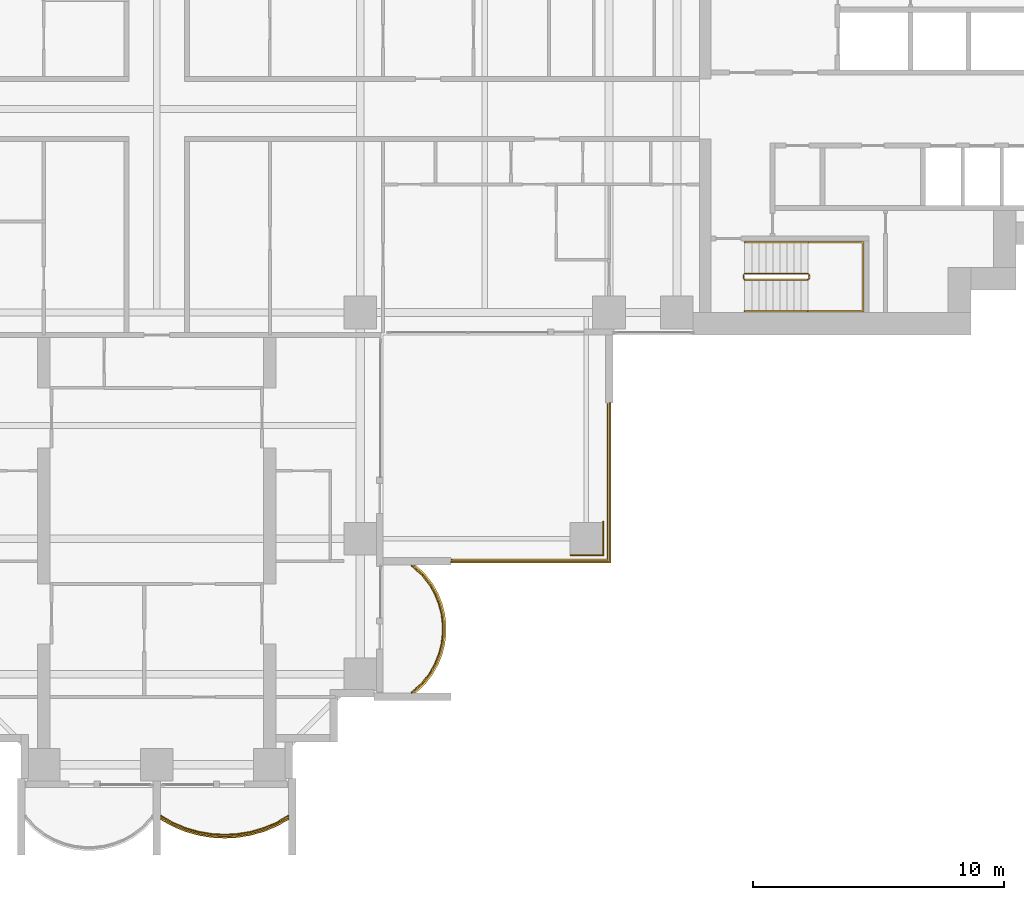
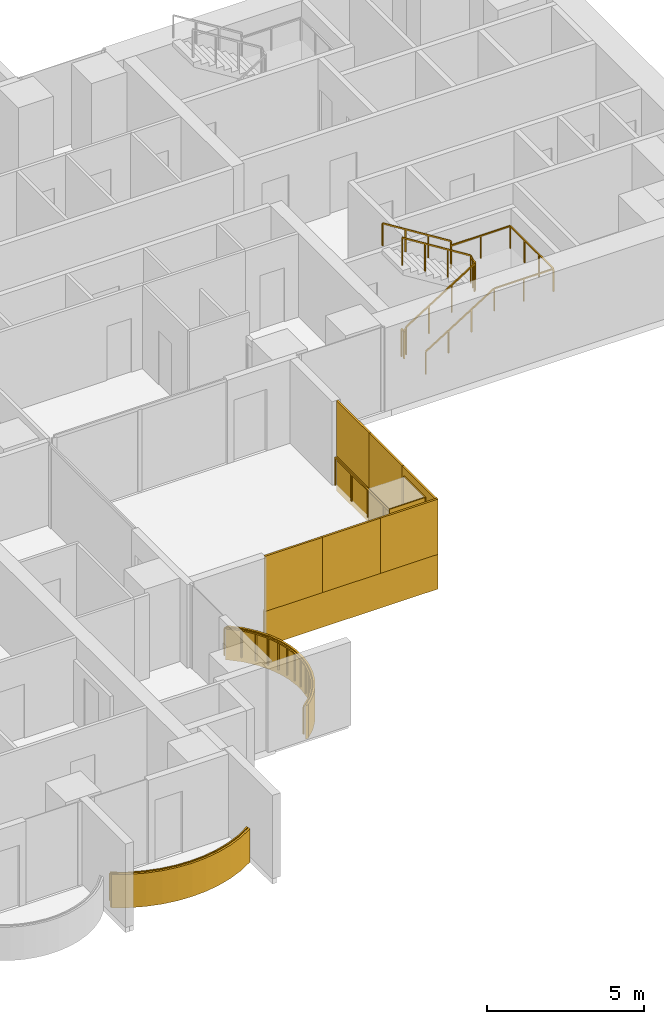
# One storey, part 19 of 21: 11 coverings, 5 railings.
"""IFC4 building model written with IfcOpenShell, lengths in metres."""

from ifc_helpers import new_model, si_unit, direction, frame, origin, origin_2d, place, context, subcontext, project, spatial, polyline, rectangle, outline, extrude, material, layer, layer_set, type_object, element, save


model = new_model("IFC4")

# Units and contexts
model_context = context("Model", 3, precision=1e-05, world=origin(), true_north=direction((0.0, 1.0)))
body_context = subcontext(model_context, "Body", "Model", "MODEL_VIEW")
ifc_project = project(units=[si_unit("LENGTHUNIT", "METRE"), si_unit("AREAUNIT", "SQUARE_METRE"), si_unit("VOLUMEUNIT", "CUBIC_METRE"), si_unit("PLANEANGLEUNIT", "RADIAN"), si_unit("MASSUNIT", "GRAM", prefix="KILO")], contexts=[model_context])

# Site, building, storey
site_placement = place(None, origin())
site = spatial("IfcSite", under=ifc_project, at=site_placement, CompositionType="ELEMENT")
building_placement = place(site_placement, origin())
building = spatial("IfcBuilding", under=site, at=building_placement, Name="Perihelion Cross Residences", CompositionType="ELEMENT")
storey_placement = place(building_placement, frame((0.0, 0.0, 57.5)))
storey = spatial("IfcBuildingStorey", under=building, at=storey_placement, Name="L11", CompositionType="ELEMENT", Elevation=57.5)

# Coverings
ifc_material_1 = material(Name="Bronze anodised aluminium", Category="aluminium")
ifc_layer_1 = layer(ifc_material_1, 0.070068359375)
ifc_layer_set_1 = layer_set([ifc_layer_1], Name="Balcony fascia 1300")
covering_type_1 = type_object("IfcCoveringType", Name="Balcony fascia 1300", PredefinedType="CLADDING", material=ifc_layer_set_1)
covering_1_placement = place(storey_placement, frame((0.0, 0.0, -0.199951171875)))
element("IfcCovering", 1, at=covering_1_placement, inside=storey, type_object=covering_type_1, Name="Fascia BF1 L11 south tip south bay 2", PredefinedType="CLADDING", context=body_context, shape_type="SweptSolid", body=[
    extrude(outline(polyline([(0.629638671875, -28.54833984375), (1.147216796875, -28.7607421875), (1.664794921875, -28.906494140625), (2.182373046875, -28.991943359375), (2.699951171875, -29.02001953125), (3.217529296875, -28.991943359375), (3.735107421875, -28.906494140625), (4.2529296875, -28.7607421875), (4.7705078125, -28.54833984375), (5.25, -28.2802734375), (5.25, -28.199951171875), (4.739990234375, -28.4853515625), (4.22998046875, -28.694580078125), (3.719970703125, -28.838134765625), (3.2099609375, -28.92236328125), (2.699951171875, -28.949951171875), (2.18994140625, -28.92236328125), (1.679931640625, -28.838134765625), (1.169921875, -28.694580078125), (0.659912109375, -28.4853515625), (0.14990234375, -28.199951171875), (0.14990234375, -28.2802734375), (0.629638671875, -28.54833984375)])), origin(), (0.0, 0.0, 1.0), 1.300048828125),
])
covering_2_placement = place(storey_placement, frame((0.0, 0.0, -0.199951171875)))
element("IfcCovering", 2, at=covering_2_placement, inside=storey, type_object=covering_type_1, Name="Fascia BF1 L11 south side east bay 1", PredefinedType="CLADDING", context=body_context, shape_type="SweptSolid", body=[
    extrude(outline(polyline([(10.674072265625, -22.90478515625), (10.982666015625, -22.50390625), (11.20654296875, -22.10302734375), (11.364013671875, -21.7021484375), (11.464599609375, -21.30126953125), (11.513916015625, -20.900390625), (11.513916015625, -20.49951171875), (11.464599609375, -20.0986328125), (11.364013671875, -19.69775390625), (11.20654296875, -19.296875), (10.982666015625, -18.89599609375), (10.674072265625, -18.4951171875), (10.302734375, -18.14990234375), (10.199951171875, -18.14990234375), (10.622314453125, -18.542236328125), (10.924072265625, -18.9345703125), (11.143310546875, -19.326904296875), (11.29736328125, -19.71923828125), (11.39599609375, -20.111572265625), (11.444091796875, -20.50390625), (11.444091796875, -20.896240234375), (11.39599609375, -21.28857421875), (11.29736328125, -21.6806640625), (11.143310546875, -22.072998046875), (10.924072265625, -22.46533203125), (10.622314453125, -22.857666015625), (10.199951171875, -23.25), (10.302734375, -23.25), (10.674072265625, -22.90478515625)])), origin(), (0.0, 0.0, 1.0), 1.300048828125),
])

# Railings
ifc_material_2 = material(Name="Bronze anodised aluminium", Category="aluminium")
railing_type_1 = type_object("IfcRailingType", Name="Balcony guard 1100", PredefinedType="GUARDRAIL", material=ifc_material_2)
railing_1_placement = place(storey_placement, frame((0.175048828125, -28.139892578125, 0.0)))
element("IfcRailing", 3, at=railing_1_placement, inside=storey, type_object=railing_type_1, Name="Guard GU1 L11 south tip south bay 2 balcony", PredefinedType="GUARDRAIL", context=body_context, shape_type="SweptSolid", body=[
    extrude(rectangle(XDim=0.048095703125, YDim=0.048095703125, at=origin_2d()), frame((0.0, 0.0, 1.076171875), z_axis=(0.861789164031, -0.507266632806, 0.0), x_axis=(0.507266632806, 0.861789164031, 0.0)), (0.0, 0.0, 1.0), 0.562744140625),
    extrude(rectangle(XDim=0.048095703125, YDim=0.048095703125, at=origin_2d()), frame((0.48486328125, -0.285400390625, 1.076171875), z_axis=(0.925172605972, -0.379546636342, 0.0), x_axis=(0.379546636342, 0.925172605972, 0.0)), (0.0, 0.0, 1.0), 0.55126953125),
    extrude(rectangle(XDim=0.048095703125, YDim=0.048095703125, at=origin_2d()), frame((0.994873046875, -0.49462890625, 1.076171875), z_axis=(0.962474364231, -0.271372618732, 0.0), x_axis=(0.271372618732, 0.962474364231, 0.0)), (0.0, 0.0, 1.0), 0.52978515625),
    extrude(rectangle(XDim=0.048095703125, YDim=0.048095703125, at=origin_2d()), frame((1.5048828125, -0.638427734375, 1.076171875), z_axis=(0.986711211531, -0.162483799314, 0.0), x_axis=(0.162483799314, 0.986711211531, 0.0)), (0.0, 0.0, 1.0), 0.516845703125),
    extrude(rectangle(XDim=0.048095703125, YDim=0.048095703125, at=origin_2d()), frame((2.014892578125, -0.722412109375, 1.076171875), z_axis=(0.998540183677, -0.05401390175, 0.0), x_axis=(0.05401390175, 0.998540183677, 0.0)), (0.0, 0.0, 1.0), 0.5107421875),
    extrude(rectangle(XDim=0.048095703125, YDim=0.048095703125, at=origin_2d()), frame((2.52490234375, -0.75, 1.076171875), z_axis=(0.998540183677, 0.05401390175, 0.0), x_axis=(-0.05401390175, 0.998540183677, 0.0)), (0.0, 0.0, 1.0), 0.5107421875),
    extrude(rectangle(XDim=0.048095703125, YDim=0.048095703125, at=origin_2d()), frame((3.034912109375, -0.722412109375, 1.076171875), z_axis=(0.986711211531, 0.162483799314, 0.0), x_axis=(-0.162483799314, 0.986711211531, 0.0)), (0.0, 0.0, 1.0), 0.516845703125),
    extrude(rectangle(XDim=0.048095703125, YDim=0.048095703125, at=origin_2d()), frame((3.544921875, -0.638427734375, 1.076171875), z_axis=(0.962474364231, 0.271372618732, 0.0), x_axis=(-0.271372618732, 0.962474364231, 0.0)), (0.0, 0.0, 1.0), 0.52978515625),
    extrude(rectangle(XDim=0.048095703125, YDim=0.048095703125, at=origin_2d()), frame((4.054931640625, -0.49462890625, 1.076171875), z_axis=(0.925172605972, 0.379546636342, 0.0), x_axis=(-0.379546636342, 0.925172605972, 0.0)), (0.0, 0.0, 1.0), 0.55126953125),
    extrude(rectangle(XDim=0.048095703125, YDim=0.048095703125, at=origin_2d()), frame((4.56494140625, -0.285400390625, 1.076171875), z_axis=(0.861900760591, 0.507076995033, 0.0), x_axis=(-0.507076995033, 0.861900760591, 0.0)), (0.0, 0.0, 1.0), 0.562744140625),
    extrude(rectangle(XDim=0.0419921875, YDim=0.0419921875, at=origin_2d()), origin(), (0.0, 0.0, 1.0), 1.052001953125),
    extrude(rectangle(XDim=0.0419921875, YDim=0.0419921875, at=origin_2d()), frame((0.48486328125, -0.285400390625, 0.0)), (0.0, 0.0, 1.0), 1.052001953125),
    extrude(rectangle(XDim=0.0419921875, YDim=0.0419921875, at=origin_2d()), frame((0.994873046875, -0.49462890625, 0.0)), (0.0, 0.0, 1.0), 1.052001953125),
    extrude(rectangle(XDim=0.0419921875, YDim=0.0419921875, at=origin_2d()), frame((1.5048828125, -0.638427734375, 0.0)), (0.0, 0.0, 1.0), 1.052001953125),
    extrude(rectangle(XDim=0.0419921875, YDim=0.0419921875, at=origin_2d()), frame((2.014892578125, -0.722412109375, 0.0)), (0.0, 0.0, 1.0), 1.052001953125),
    extrude(rectangle(XDim=0.0419921875, YDim=0.0419921875, at=origin_2d()), frame((2.52490234375, -0.75, 0.0)), (0.0, 0.0, 1.0), 1.052001953125),
    extrude(rectangle(XDim=0.0419921875, YDim=0.0419921875, at=origin_2d()), frame((3.034912109375, -0.722412109375, 0.0)), (0.0, 0.0, 1.0), 1.052001953125),
    extrude(rectangle(XDim=0.0419921875, YDim=0.0419921875, at=origin_2d()), frame((3.544921875, -0.638427734375, 0.0)), (0.0, 0.0, 1.0), 1.052001953125),
    extrude(rectangle(XDim=0.0419921875, YDim=0.0419921875, at=origin_2d()), frame((4.054931640625, -0.49462890625, 0.0)), (0.0, 0.0, 1.0), 1.052001953125),
    extrude(rectangle(XDim=0.0419921875, YDim=0.0419921875, at=origin_2d()), frame((4.56494140625, -0.285400390625, 0.0)), (0.0, 0.0, 1.0), 1.052001953125),
    extrude(rectangle(XDim=0.0419921875, YDim=0.0419921875, at=origin_2d()), frame((5.050048828125, 0.0, 0.0)), (0.0, 0.0, 1.0), 1.052001953125),
])
railing_2_placement = place(storey_placement, frame((10.139892578125, -23.22509765625, 0.0)))
element("IfcRailing", 4, at=railing_2_placement, inside=storey, type_object=railing_type_1, Name="Guard GU1 L11 south side east bay 1 balcony", PredefinedType="GUARDRAIL", context=body_context, shape_type="SweptSolid", body=[
    extrude(rectangle(XDim=0.048095703125, YDim=0.048095703125, at=origin_2d()), frame((0.0, 0.0, 1.076171875), z_axis=(0.754464673757, 0.656340655493, 0.0), x_axis=(-0.656340655493, 0.754464673757, 0.0)), (0.0, 0.0, 1.0), 0.559814453125),
    extrude(rectangle(XDim=0.048095703125, YDim=0.048095703125, at=origin_2d()), frame((0.42236328125, 0.367431640625, 1.076171875), z_axis=(0.60966308455, 0.792660660899, 0.0), x_axis=(-0.792660660899, 0.60966308455, 0.0)), (0.0, 0.0, 1.0), 0.494873046875),
    extrude(rectangle(XDim=0.048095703125, YDim=0.048095703125, at=origin_2d()), frame((0.72412109375, 0.759765625, 1.076171875), z_axis=(0.487809182674, 0.872950285698, 0.0), x_axis=(-0.872950285698, 0.487809182674, 0.0)), (0.0, 0.0, 1.0), 0.449462890625),
    extrude(rectangle(XDim=0.048095703125, YDim=0.048095703125, at=origin_2d()), frame((0.943359375, 1.152099609375, 1.076171875), z_axis=(0.365491079925, 0.930814842219, 0.0), x_axis=(-0.930814842219, 0.365491079925, 0.0)), (0.0, 0.0, 1.0), 0.42138671875),
    extrude(rectangle(XDim=0.048095703125, YDim=0.048095703125, at=origin_2d()), frame((1.097412109375, 1.54443359375, 1.076171875), z_axis=(0.243956193074, 0.969786252666, 0.0), x_axis=(-0.969786252666, 0.243956193074, 0.0)), (0.0, 0.0, 1.0), 0.404296875),
    extrude(rectangle(XDim=0.048095703125, YDim=0.048095703125, at=origin_2d()), frame((1.196044921875, 1.9365234375, 1.076171875), z_axis=(0.121677797999, 0.992569651699, 0.0), x_axis=(-0.992569651699, 0.121677797999, 0.0)), (0.0, 0.0, 1.0), 0.395263671875),
    extrude(rectangle(XDim=0.048095703125, YDim=0.048095703125, at=origin_2d()), frame((1.244140625, 2.328857421875, 1.076171875), z_axis=(0.0, 1.0, 0.0), x_axis=(-1.0, 0.0, 0.0)), (0.0, 0.0, 1.0), 0.392333984375),
    extrude(rectangle(XDim=0.048095703125, YDim=0.048095703125, at=origin_2d()), frame((1.244140625, 2.72119140625, 1.076171875), z_axis=(-0.121677797999, 0.992569651699, 0.0), x_axis=(-0.992569651699, -0.121677797999, 0.0)), (0.0, 0.0, 1.0), 0.395263671875),
    extrude(rectangle(XDim=0.048095703125, YDim=0.048095703125, at=origin_2d()), frame((1.196044921875, 3.113525390625, 1.076171875), z_axis=(-0.243813411509, 0.969822159145, 0.0), x_axis=(-0.969822159145, -0.243813411509, 0.0)), (0.0, 0.0, 1.0), 0.404541015625),
    extrude(rectangle(XDim=0.048095703125, YDim=0.048095703125, at=origin_2d()), frame((1.097412109375, 3.505859375, 1.076171875), z_axis=(-0.365491079925, 0.930814842219, 0.0), x_axis=(-0.930814842219, -0.365491079925, 0.0)), (0.0, 0.0, 1.0), 0.42138671875),
    extrude(rectangle(XDim=0.048095703125, YDim=0.048095703125, at=origin_2d()), frame((0.943359375, 3.898193359375, 1.076171875), z_axis=(-0.487809182674, 0.872950285698, 0.0), x_axis=(-0.872950285698, -0.487809182674, 0.0)), (0.0, 0.0, 1.0), 0.449462890625),
    extrude(rectangle(XDim=0.048095703125, YDim=0.048095703125, at=origin_2d()), frame((0.72412109375, 4.29052734375, 1.076171875), z_axis=(-0.60966308455, 0.792660660899, 0.0), x_axis=(-0.792660660899, -0.60966308455, 0.0)), (0.0, 0.0, 1.0), 0.494873046875),
    extrude(rectangle(XDim=0.048095703125, YDim=0.048095703125, at=origin_2d()), frame((0.42236328125, 4.682861328125, 1.076171875), z_axis=(-0.754680648599, 0.656092309534, 0.0), x_axis=(-0.656092309534, -0.754680648599, 0.0)), (0.0, 0.0, 1.0), 0.5595703125),
    extrude(rectangle(XDim=0.0419921875, YDim=0.0419921875, at=origin_2d()), origin(), (0.0, 0.0, 1.0), 1.052001953125),
    extrude(rectangle(XDim=0.0419921875, YDim=0.0419921875, at=origin_2d()), frame((0.42236328125, 0.367431640625, 0.0)), (0.0, 0.0, 1.0), 1.052001953125),
    extrude(rectangle(XDim=0.0419921875, YDim=0.0419921875, at=origin_2d()), frame((0.72412109375, 0.759765625, 0.0)), (0.0, 0.0, 1.0), 1.052001953125),
    extrude(rectangle(XDim=0.0419921875, YDim=0.0419921875, at=origin_2d()), frame((0.943359375, 1.152099609375, 0.0)), (0.0, 0.0, 1.0), 1.052001953125),
    extrude(rectangle(XDim=0.0419921875, YDim=0.0419921875, at=origin_2d()), frame((1.097412109375, 1.54443359375, 0.0)), (0.0, 0.0, 1.0), 1.052001953125),
    extrude(rectangle(XDim=0.0419921875, YDim=0.0419921875, at=origin_2d()), frame((1.196044921875, 1.9365234375, 0.0)), (0.0, 0.0, 1.0), 1.052001953125),
    extrude(rectangle(XDim=0.0419921875, YDim=0.0419921875, at=origin_2d()), frame((1.244140625, 2.328857421875, 0.0)), (0.0, 0.0, 1.0), 1.052001953125),
    extrude(rectangle(XDim=0.0419921875, YDim=0.0419921875, at=origin_2d()), frame((1.244140625, 2.72119140625, 0.0)), (0.0, 0.0, 1.0), 1.052001953125),
    extrude(rectangle(XDim=0.0419921875, YDim=0.0419921875, at=origin_2d()), frame((1.196044921875, 3.113525390625, 0.0)), (0.0, 0.0, 1.0), 1.052001953125),
    extrude(rectangle(XDim=0.0419921875, YDim=0.0419921875, at=origin_2d()), frame((1.097412109375, 3.505859375, 0.0)), (0.0, 0.0, 1.0), 1.052001953125),
    extrude(rectangle(XDim=0.0419921875, YDim=0.0419921875, at=origin_2d()), frame((0.943359375, 3.898193359375, 0.0)), (0.0, 0.0, 1.0), 1.052001953125),
    extrude(rectangle(XDim=0.0419921875, YDim=0.0419921875, at=origin_2d()), frame((0.72412109375, 4.29052734375, 0.0)), (0.0, 0.0, 1.0), 1.052001953125),
    extrude(rectangle(XDim=0.0419921875, YDim=0.0419921875, at=origin_2d()), frame((0.42236328125, 4.682861328125, 0.0)), (0.0, 0.0, 1.0), 1.052001953125),
    extrude(rectangle(XDim=0.0419921875, YDim=0.0419921875, at=origin_2d()), frame((0.0, 5.050048828125, 0.0)), (0.0, 0.0, 1.0), 1.052001953125),
])
railing_3_placement = place(storey_placement, frame((17.93994140625, -11.739990234375, 0.0)))
element("IfcRailing", 5, at=railing_3_placement, inside=storey, type_object=railing_type_1, Name="Guard GU1 L11 pocket south-east 1", PredefinedType="GUARDRAIL", context=body_context, shape_type="SweptSolid", body=[
    extrude(rectangle(XDim=0.048095703125, YDim=0.048095703125, at=origin_2d()), frame((0.0, 0.0, 1.076171875), z_axis=(0.0, -1.0, 0.0), x_axis=(1.0, 0.0, 0.0)), (0.0, 0.0, 1.0), 6.199951171875),
    extrude(rectangle(XDim=0.048095703125, YDim=0.048095703125, at=origin_2d()), frame((0.0, -6.199951171875, 1.076171875), z_axis=(-1.0, 0.0, 0.0), x_axis=(0.0, -1.0, 0.0)), (0.0, 0.0, 1.0), 6.199951171875),
    extrude(rectangle(XDim=0.0419921875, YDim=0.0419921875, at=origin_2d()), origin(), (0.0, 0.0, 1.0), 1.052001953125),
    extrude(rectangle(XDim=0.0419921875, YDim=0.0419921875, at=origin_2d()), frame((0.0, -1.033203125, 0.0)), (0.0, 0.0, 1.0), 1.052001953125),
    extrude(rectangle(XDim=0.0419921875, YDim=0.0419921875, at=origin_2d()), frame((0.0, -2.066650390625, 0.0)), (0.0, 0.0, 1.0), 1.052001953125),
    extrude(rectangle(XDim=0.0419921875, YDim=0.0419921875, at=origin_2d()), frame((0.0, -3.10009765625, 0.0)), (0.0, 0.0, 1.0), 1.052001953125),
    extrude(rectangle(XDim=0.0419921875, YDim=0.0419921875, at=origin_2d()), frame((0.0, -4.13330078125, 0.0)), (0.0, 0.0, 1.0), 1.052001953125),
    extrude(rectangle(XDim=0.0419921875, YDim=0.0419921875, at=origin_2d()), frame((0.0, -5.16650390625, 0.0)), (0.0, 0.0, 1.0), 1.052001953125),
    extrude(rectangle(XDim=0.0419921875, YDim=0.0419921875, at=origin_2d()), frame((0.0, -6.199951171875, 0.0)), (0.0, 0.0, 1.0), 1.052001953125),
    extrude(rectangle(XDim=0.0419921875, YDim=0.0419921875, at=origin_2d()), frame((-1.033203125, -6.199951171875, 0.0)), (0.0, 0.0, 1.0), 1.052001953125),
    extrude(rectangle(XDim=0.0419921875, YDim=0.0419921875, at=origin_2d()), frame((-2.066650390625, -6.199951171875, 0.0)), (0.0, 0.0, 1.0), 1.052001953125),
    extrude(rectangle(XDim=0.0419921875, YDim=0.0419921875, at=origin_2d()), frame((-3.10009765625, -6.199951171875, 0.0)), (0.0, 0.0, 1.0), 1.052001953125),
    extrude(rectangle(XDim=0.0419921875, YDim=0.0419921875, at=origin_2d()), frame((-4.13330078125, -6.199951171875, 0.0)), (0.0, 0.0, 1.0), 1.052001953125),
    extrude(rectangle(XDim=0.0419921875, YDim=0.0419921875, at=origin_2d()), frame((-5.16650390625, -6.199951171875, 0.0)), (0.0, 0.0, 1.0), 1.052001953125),
    extrude(rectangle(XDim=0.0419921875, YDim=0.0419921875, at=origin_2d()), frame((-6.199951171875, -6.199951171875, 0.0)), (0.0, 0.0, 1.0), 1.052001953125),
])

# Coverings
ifc_material_3 = material(Name="Bronze anodised aluminium", Category="aluminium")
ifc_layer_2 = layer(ifc_material_3, 0.0400390625)
ifc_layer_set_2 = layer_set([ifc_layer_2], Name="Bronze column casing 40")
covering_type_2 = type_object("IfcCoveringType", Name="Bronze column casing 40", PredefinedType="CLADDING", material=ifc_layer_set_2)
covering_3_placement = place(storey_placement, frame((17.77001953125, -17.10009765625, -0.25), z_axis=(0.0, 0.0, 1.0), x_axis=(1.0, 0.0, 0.0)))
element("IfcCovering", 6, at=covering_3_placement, inside=storey, type_object=covering_type_2, Name="Cladding CC1 L11 casing east-west no. 3", PredefinedType="CLADDING", context=body_context, shape_type="SweptSolid", body=[
    extrude(rectangle(XDim=0.0400390625, YDim=1.3798828125, at=origin_2d()), origin(), (0.0, 0.0, 1.0), 3.5),
])
covering_4_placement = place(storey_placement, frame((17.10009765625, -17.77001953125, -0.25), z_axis=(0.0, 0.0, 1.0), x_axis=(1.0, 0.0, 0.0)))
element("IfcCovering", 7, at=covering_4_placement, inside=storey, type_object=covering_type_2, Name="Cladding CC1 L11 casing north-south no. 3", PredefinedType="CLADDING", context=body_context, shape_type="SweptSolid", body=[
    extrude(rectangle(XDim=1.300048828125, YDim=0.0400390625, at=origin_2d()), origin(), (0.0, 0.0, 1.0), 3.5),
])
ifc_material_4 = material(Name="Bronze anodised aluminium", Category="aluminium")
ifc_layer_3 = layer(ifc_material_4, 0.070068359375)
ifc_layer_set_3 = layer_set([ifc_layer_3], Name="Pocket fascia 1350")
covering_type_3 = type_object("IfcCoveringType", Name="Pocket fascia 1350", PredefinedType="CLADDING", material=ifc_layer_set_3)
covering_5_placement = place(storey_placement, frame((0.0, 0.0, -0.25)))
element("IfcCovering", 8, at=covering_5_placement, inside=storey, type_object=covering_type_3, Name="Fascia BF2 L11 pocket south-east 3", PredefinedType="CLADDING", context=body_context, shape_type="SweptSolid", body=[
    extrude(outline(polyline([(18.070068359375, -18.070068359375), (18.070068359375, -11.699951171875), (18.0, -11.699951171875), (18.0, -18.0), (11.699951171875, -18.0), (11.699951171875, -18.070068359375), (18.070068359375, -18.070068359375)])), origin(), (0.0, 0.0, 1.0), 1.35009765625),
])
ifc_material_5 = material(Name="Bronze perforated aluminium", Category="aluminium")
ifc_layer_4 = layer(ifc_material_5, 0.070068359375)
ifc_layer_set_4 = layer_set([ifc_layer_4], Name="Pocket solar screen, bronze perforated")
covering_type_4 = type_object("IfcCoveringType", Name="Pocket solar screen, bronze perforated", PredefinedType="CLADDING", material=ifc_layer_set_4)
covering_6_placement = place(storey_placement, frame((0.0, 0.0, 1.10009765625)))
element("IfcCovering", 9, at=covering_6_placement, inside=storey, type_object=covering_type_4, Name="Solar screen PS1 L11 pocket south-east no. 1", PredefinedType="CLADDING", context=body_context, shape_type="SweptSolid", body=[
    extrude(outline(polyline([(18.070068359375, -18.0), (18.070068359375, -15.89990234375), (18.0, -15.89990234375), (18.0, -18.0), (18.070068359375, -18.0)])), origin(), (0.0, 0.0, 1.0), 2.14990234375),
])
covering_7_placement = place(storey_placement, frame((0.0, 0.0, 1.10009765625)))
element("IfcCovering", 10, at=covering_7_placement, inside=storey, type_object=covering_type_4, Name="Solar screen PS1 L11 pocket south-east no. 2", PredefinedType="CLADDING", context=body_context, shape_type="SweptSolid", body=[
    extrude(outline(polyline([(18.070068359375, -15.89990234375), (18.070068359375, -13.800048828125), (18.0, -13.800048828125), (18.0, -15.89990234375), (18.070068359375, -15.89990234375)])), origin(), (0.0, 0.0, 1.0), 2.14990234375),
])
covering_8_placement = place(storey_placement, frame((0.0, 0.0, 1.10009765625)))
element("IfcCovering", 11, at=covering_8_placement, inside=storey, type_object=covering_type_4, Name="Solar screen PS1 L11 pocket south-east no. 3", PredefinedType="CLADDING", context=body_context, shape_type="SweptSolid", body=[
    extrude(outline(polyline([(18.070068359375, -13.800048828125), (18.070068359375, -11.699951171875), (18.0, -11.699951171875), (18.0, -13.800048828125), (18.070068359375, -13.800048828125)])), origin(), (0.0, 0.0, 1.0), 2.14990234375),
])
covering_9_placement = place(storey_placement, frame((0.0, 0.0, 1.10009765625)))
element("IfcCovering", 12, at=covering_9_placement, inside=storey, type_object=covering_type_4, Name="Solar screen PS1 L11 pocket south-east no. 4", PredefinedType="CLADDING", context=body_context, shape_type="SweptSolid", body=[
    extrude(outline(polyline([(13.8232421875, -18.070068359375), (13.8232421875, -18.0), (11.699951171875, -18.0), (11.699951171875, -18.070068359375), (13.8232421875, -18.070068359375)])), origin(), (0.0, 0.0, 1.0), 2.14990234375),
])
covering_10_placement = place(storey_placement, frame((0.0, 0.0, 1.10009765625)))
element("IfcCovering", 13, at=covering_10_placement, inside=storey, type_object=covering_type_4, Name="Solar screen PS1 L11 pocket south-east no. 5", PredefinedType="CLADDING", context=body_context, shape_type="SweptSolid", body=[
    extrude(outline(polyline([(15.94677734375, -18.070068359375), (15.94677734375, -18.0), (13.8232421875, -18.0), (13.8232421875, -18.070068359375), (15.94677734375, -18.070068359375)])), origin(), (0.0, 0.0, 1.0), 2.14990234375),
])
covering_11_placement = place(storey_placement, frame((0.0, 0.0, 1.10009765625)))
element("IfcCovering", 14, at=covering_11_placement, inside=storey, type_object=covering_type_4, Name="Solar screen PS1 L11 pocket south-east no. 6", PredefinedType="CLADDING", context=body_context, shape_type="SweptSolid", body=[
    extrude(outline(polyline([(18.070068359375, -18.070068359375), (18.070068359375, -18.0), (15.94677734375, -18.0), (15.94677734375, -18.070068359375), (18.070068359375, -18.070068359375)])), origin(), (0.0, 0.0, 1.0), 2.14990234375),
])

# Railings
ifc_material_6 = material(Name="Stainless steel", Category="steel")
railing_type_2 = type_object("IfcRailingType", Name="Stair guard 1100", PredefinedType="GUARDRAIL", material=ifc_material_6)
railing_4_placement = place(storey_placement, frame((23.35009765625, -6.60009765625, 0.0)))
element("IfcRailing", 15, at=railing_4_placement, inside=storey, type_object=railing_type_2, Name="L11 ST-E2 stair guard 1", PredefinedType="GUARDRAIL", context=body_context, shape_type="SweptSolid", body=[
    extrude(rectangle(XDim=0.048095703125, YDim=0.048095703125, at=origin_2d()), frame((0.0, 0.0, 1.076171875), z_axis=(0.0, -1.0, 0.0), x_axis=(1.0, 0.0, 0.0)), (0.0, 0.0, 1.0), 0.14990234375),
    extrude(rectangle(XDim=0.048095703125, YDim=0.048095703125, at=origin_2d()), frame((0.0, -0.14990234375, 1.076171875), z_axis=(0.263862480399, -0.265155923931, 0.927399011991), x_axis=(0.708833529934, 0.705375805398, 0.0)), (0.0, 0.0, 1.0), 0.188720703125),
    extrude(rectangle(XDim=0.048095703125, YDim=0.048095703125, at=origin_2d()), frame((0.0498046875, -0.199951171875, 1.2509765625), z_axis=(0.848007534815, 0.0, 0.529984170421), x_axis=(0.0, 1.0, 0.0)), (0.0, 0.0, 1.0), 2.9716796875),
    extrude(rectangle(XDim=0.048095703125, YDim=0.048095703125, at=origin_2d()), frame((2.56982421875, -0.199951171875, 2.826171875), z_axis=(0.707106781187, 0.707106781187, 0.0), x_axis=(-0.707106781187, 0.707106781187, 0.0)), (0.0, 0.0, 1.0), 0.07080078125),
    extrude(rectangle(XDim=0.048095703125, YDim=0.048095703125, at=origin_2d()), frame((2.619873046875, -0.14990234375, 2.826171875), z_axis=(0.0, 1.0, 0.0), x_axis=(-1.0, 0.0, 0.0)), (0.0, 0.0, 1.0), 0.14990234375),
    extrude(rectangle(XDim=0.048095703125, YDim=0.048095703125, at=origin_2d()), frame((2.619873046875, 0.0, 2.826171875), z_axis=(-0.265065253269, 0.265065253269, 0.927081885822), x_axis=(-0.707106781187, -0.707106781187, 0.0)), (0.0, 0.0, 1.0), 0.188720703125),
    extrude(rectangle(XDim=0.048095703125, YDim=0.048095703125, at=origin_2d()), frame((2.56982421875, 0.050048828125, 3.0009765625), z_axis=(-0.848007534815, 0.0, 0.529984170421), x_axis=(0.0, -1.0, 0.0)), (0.0, 0.0, 1.0), 2.9716796875),
    extrude(rectangle(XDim=0.0419921875, YDim=0.0419921875, at=origin_2d()), origin(), (0.0, 0.0, 1.0), 1.052001953125),
    extrude(rectangle(XDim=0.0419921875, YDim=0.0419921875, at=origin_2d()), frame((0.0, -0.14990234375, 0.0)), (0.0, 0.0, 1.0), 1.052001953125),
    extrude(rectangle(XDim=0.0419921875, YDim=0.0419921875, at=origin_2d()), frame((0.0498046875, -0.199951171875, 0.175048828125)), (0.0, 0.0, 1.0), 1.052001953125),
    extrude(rectangle(XDim=0.0419921875, YDim=0.0419921875, at=origin_2d()), frame((0.889892578125, -0.199951171875, 0.699951171875)), (0.0, 0.0, 1.0), 1.052001953125),
    extrude(rectangle(XDim=0.0419921875, YDim=0.0419921875, at=origin_2d()), frame((1.729736328125, -0.199951171875, 1.22509765625)), (0.0, 0.0, 1.0), 1.052001953125),
    extrude(rectangle(XDim=0.0419921875, YDim=0.0419921875, at=origin_2d()), frame((2.56982421875, -0.199951171875, 1.75)), (0.0, 0.0, 1.0), 1.052001953125),
    extrude(rectangle(XDim=0.0419921875, YDim=0.0419921875, at=origin_2d()), frame((2.619873046875, -0.14990234375, 1.75)), (0.0, 0.0, 1.0), 1.052001953125),
    extrude(rectangle(XDim=0.0419921875, YDim=0.0419921875, at=origin_2d()), frame((2.619873046875, 0.0, 1.75)), (0.0, 0.0, 1.0), 1.052001953125),
    extrude(rectangle(XDim=0.0419921875, YDim=0.0419921875, at=origin_2d()), frame((2.56982421875, 0.050048828125, 1.925048828125)), (0.0, 0.0, 1.0), 1.052001953125),
    extrude(rectangle(XDim=0.0419921875, YDim=0.0419921875, at=origin_2d()), frame((1.729736328125, 0.050048828125, 2.449951171875)), (0.0, 0.0, 1.0), 1.052001953125),
    extrude(rectangle(XDim=0.0419921875, YDim=0.0419921875, at=origin_2d()), frame((0.889892578125, 0.050048828125, 2.97509765625)), (0.0, 0.0, 1.0), 1.052001953125),
    extrude(rectangle(XDim=0.0419921875, YDim=0.0419921875, at=origin_2d()), frame((0.0498046875, 0.050048828125, 3.5)), (0.0, 0.0, 1.0), 1.052001953125),
])
ifc_material_7 = material(Name="Stainless steel", Category="steel")
railing_type_3 = type_object("IfcRailingType", Name="Stair handrail 900", PredefinedType="HANDRAIL", material=ifc_material_7)
railing_5_placement = place(storey_placement, frame((23.39990234375, -8.050048828125, 0.175048828125)))
element("IfcRailing", 16, at=railing_5_placement, inside=storey, type_object=railing_type_3, Name="L11 ST-E2 stair handrail 1", PredefinedType="HANDRAIL", context=body_context, shape_type="SweptSolid", body=[
    extrude(rectangle(XDim=0.048095703125, YDim=0.048095703125, at=origin_2d()), frame((0.0, 0.0, 0.8759765625), z_axis=(0.848007534815, 0.0, 0.529984170421), x_axis=(0.0, 1.0, 0.0)), (0.0, 0.0, 1.0), 2.9716796875),
    extrude(rectangle(XDim=0.048095703125, YDim=0.048095703125, at=origin_2d()), frame((2.52001953125, 0.0, 2.45068359375), z_axis=(1.0, 0.0, 0.0), x_axis=(0.0, 1.0, 0.0)), (0.0, 0.0, 1.0), 2.18017578125),
    extrude(rectangle(XDim=0.048095703125, YDim=0.048095703125, at=origin_2d()), frame((4.7001953125, 0.0, 2.45068359375), z_axis=(0.0, 1.0, 0.0), x_axis=(-1.0, 0.0, 0.0)), (0.0, 0.0, 1.0), 2.75),
    extrude(rectangle(XDim=0.048095703125, YDim=0.048095703125, at=origin_2d()), frame((4.7001953125, 2.75, 2.45068359375), z_axis=(-1.0, 0.0, 0.0), x_axis=(0.0, -1.0, 0.0)), (0.0, 0.0, 1.0), 2.18017578125),
    extrude(rectangle(XDim=0.048095703125, YDim=0.048095703125, at=origin_2d()), frame((2.52001953125, 2.75, 2.45068359375), z_axis=(0.0, 0.0, 1.0), x_axis=(1.0, 0.0, 0.0)), (0.0, 0.0, 1.0), 0.175048828125),
    extrude(rectangle(XDim=0.048095703125, YDim=0.048095703125, at=origin_2d()), frame((2.52001953125, 2.75, 2.6259765625), z_axis=(-0.848007534815, 0.0, 0.529984170421), x_axis=(0.0, -1.0, 0.0)), (0.0, 0.0, 1.0), 2.9716796875),
    extrude(rectangle(XDim=0.0419921875, YDim=0.0419921875, at=origin_2d()), origin(), (0.0, 0.0, 1.0), 0.851806640625),
    extrude(rectangle(XDim=0.0419921875, YDim=0.0419921875, at=origin_2d()), frame((0.840087890625, 0.0, 0.52490234375)), (0.0, 0.0, 1.0), 0.851806640625),
    extrude(rectangle(XDim=0.0419921875, YDim=0.0419921875, at=origin_2d()), frame((1.679931640625, 0.0, 1.050048828125)), (0.0, 0.0, 1.0), 0.851806640625),
    extrude(rectangle(XDim=0.0419921875, YDim=0.0419921875, at=origin_2d()), frame((2.52001953125, 0.0, 1.574951171875)), (0.0, 0.0, 1.0), 0.851806640625),
    extrude(rectangle(XDim=0.0419921875, YDim=0.0419921875, at=origin_2d()), frame((3.610107421875, 0.0, 1.574951171875)), (0.0, 0.0, 1.0), 0.851806640625),
    extrude(rectangle(XDim=0.0419921875, YDim=0.0419921875, at=origin_2d()), frame((4.7001953125, 0.0, 1.574951171875)), (0.0, 0.0, 1.0), 0.851806640625),
    extrude(rectangle(XDim=0.0419921875, YDim=0.0419921875, at=origin_2d()), frame((4.7001953125, 0.916748046875, 1.574951171875)), (0.0, 0.0, 1.0), 0.851806640625),
    extrude(rectangle(XDim=0.0419921875, YDim=0.0419921875, at=origin_2d()), frame((4.7001953125, 1.833251953125, 1.574951171875)), (0.0, 0.0, 1.0), 0.851806640625),
    extrude(rectangle(XDim=0.0419921875, YDim=0.0419921875, at=origin_2d()), frame((4.7001953125, 2.75, 1.574951171875)), (0.0, 0.0, 1.0), 0.851806640625),
    extrude(rectangle(XDim=0.0419921875, YDim=0.0419921875, at=origin_2d()), frame((3.610107421875, 2.75, 1.574951171875)), (0.0, 0.0, 1.0), 0.851806640625),
    extrude(rectangle(XDim=0.0419921875, YDim=0.0419921875, at=origin_2d()), frame((2.52001953125, 2.75, 1.574951171875)), (0.0, 0.0, 1.0), 0.851806640625),
    extrude(rectangle(XDim=0.0419921875, YDim=0.0419921875, at=origin_2d()), frame((2.52001953125, 2.75, 1.75)), (0.0, 0.0, 1.0), 0.851806640625),
    extrude(rectangle(XDim=0.0419921875, YDim=0.0419921875, at=origin_2d()), frame((1.679931640625, 2.75, 2.27490234375)), (0.0, 0.0, 1.0), 0.851806640625),
    extrude(rectangle(XDim=0.0419921875, YDim=0.0419921875, at=origin_2d()), frame((0.840087890625, 2.75, 2.800048828125)), (0.0, 0.0, 1.0), 0.851806640625),
    extrude(rectangle(XDim=0.0419921875, YDim=0.0419921875, at=origin_2d()), frame((0.0, 2.75, 3.324951171875)), (0.0, 0.0, 1.0), 0.851806640625),
])

save(model, "model.ifc")
